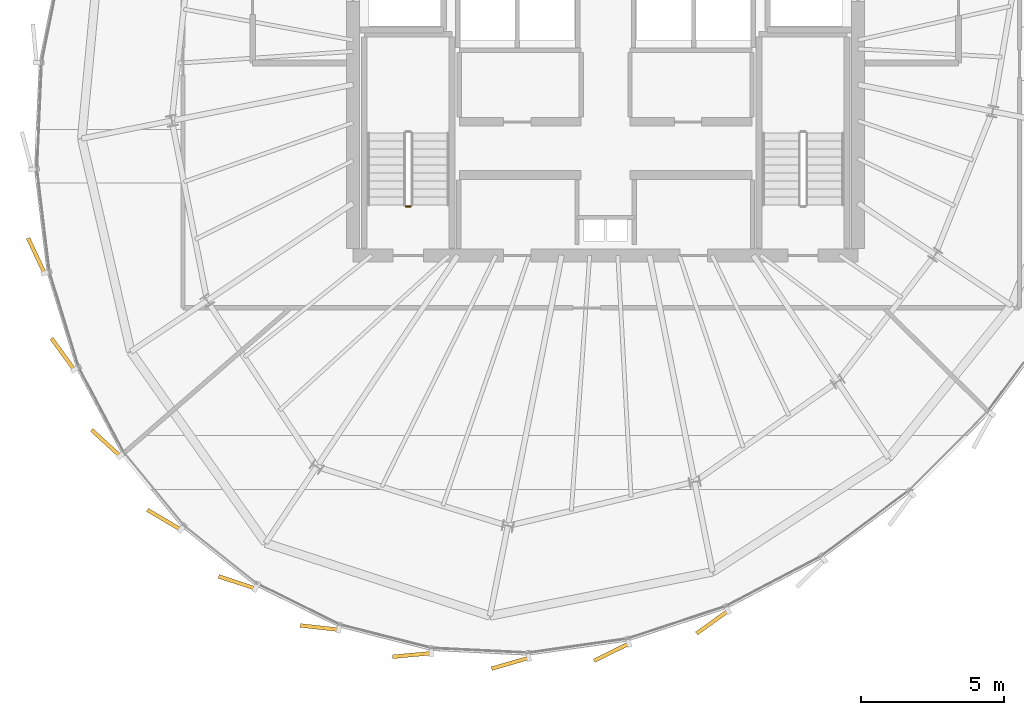
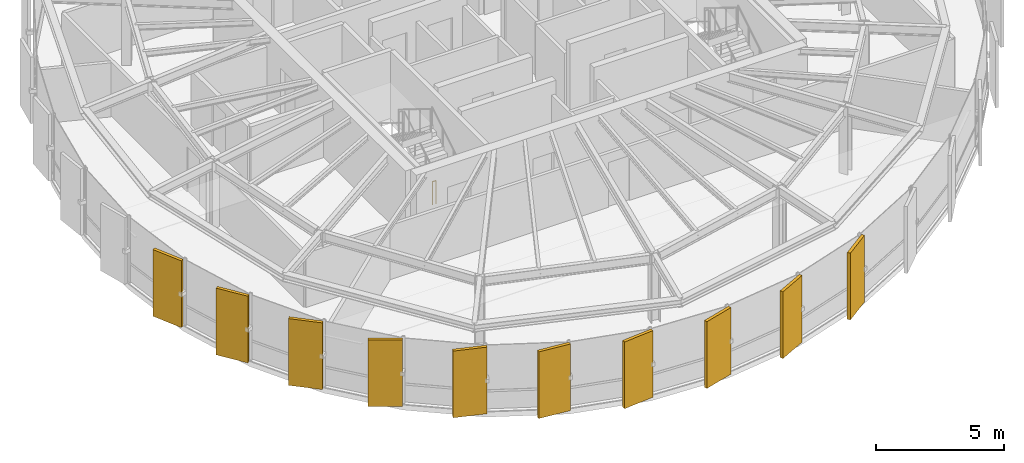
# One storey, part 29 of 33: 10 coverings, 1 railing.
"""IFC4 building model written with IfcOpenShell, lengths in metres."""

import ifcopenshell
import ifcopenshell.guid

model = None  # the IFC model being written
_history = None  # IfcOwnerHistory: only IFC2X3 demands one
_inside = {}  # id of a spatial element -> (the spatial element, [elements in it])
_under = {}  # id of a project, library or spatial element -> (it, [spatial elements below it])
_declared = {}  # id of a project -> (the project, [libraries it declares])
_typed = {}  # id of a type object -> (the type object, [elements of that type])
_made_of = {}  # id of a material, layer set ... -> (it, [elements and type objects made of it])


def new_model(schema):
    """Start an empty IFC model of exactly this schema.

    Asked for "IFC4X3", IfcOpenShell would pick the latest addendum, in which some entities
    have other attributes; the version numbers below select the first issue.
    IFC2X3 requires an IfcOwnerHistory on every rooted entity: one is made here for all.
    """
    global model, _history
    if schema == "IFC4X3":
        model = ifcopenshell.file(schema_version=(4, 3, 0, 0))
    else:
        model = ifcopenshell.file(schema=schema)
    _inside.clear()
    _under.clear()
    _declared.clear()
    _typed.clear()
    _made_of.clear()
    _history = None
    if model.schema == "IFC2X3":
        org = make("IfcOrganization", Name="unknown")
        user = make(
            "IfcPersonAndOrganization",
            ThePerson=make("IfcPerson", FamilyName="unknown"),
            TheOrganization=org,
        )
        app = make(
            "IfcApplication",
            ApplicationDeveloper=org,
            Version="unknown",
            ApplicationFullName="unknown",
            ApplicationIdentifier="unknown",
        )
        _history = make(
            "IfcOwnerHistory",
            OwningUser=user,
            OwningApplication=app,
            ChangeAction="ADDED",
            CreationDate=0,
        )
    return model


def make(cls, **values):
    """One entity of the class cls with the attributes given. An attribute that is None is left unset."""
    return model.create_entity(
        cls, **{name: value for name, value in values.items() if value is not None}
    )


def rooted(cls, **values):
    """An entity with a GlobalId (a new one), such as an element, a storey or a relation."""
    return make(cls, GlobalId=ifcopenshell.guid.new(), OwnerHistory=_history, **values)


def si_unit(unit_type, name, prefix=None):
    """IfcSIUnit, for example si_unit("LENGTHUNIT", "METRE", prefix="MILLI")."""
    return make("IfcSIUnit", UnitType=unit_type, Prefix=prefix, Name=name)


def assignment(units):
    """IfcUnitAssignment: the units of a project."""
    return None if units is None else make("IfcUnitAssignment", Units=units)


def point(xyz):
    """IfcCartesianPoint."""
    return None if xyz is None else make("IfcCartesianPoint", Coordinates=xyz)


def direction(xyz):
    """IfcDirection."""
    return None if xyz is None else make("IfcDirection", DirectionRatios=xyz)


def frame(location, z_axis=None, x_axis=None):
    """IfcAxis2Placement3D, a coordinate frame: its origin and axes. An axis left out is left unset."""
    return make(
        "IfcAxis2Placement3D",
        Location=point(location),
        Axis=direction(z_axis),
        RefDirection=direction(x_axis),
    )


def frame_2d(location, x_axis=None):
    """IfcAxis2Placement2D, a coordinate frame in the plane: its origin and x axis."""
    return make(
        "IfcAxis2Placement2D", Location=point(location), RefDirection=direction(x_axis)
    )


def origin():
    """The frame at (0, 0, 0) with its axes left unset."""
    return frame((0.0, 0.0, 0.0))


def origin_2d():
    """The frame at (0, 0) in the plane with its x axis left unset."""
    return frame_2d((0.0, 0.0))


def place(relative_to, where):
    """IfcLocalPlacement: puts the frame where relative to a parent placement (None: the world)."""
    return make(
        "IfcLocalPlacement", PlacementRelTo=relative_to, RelativePlacement=where
    )


def context(
    kind, dimensions, precision=None, world=None, true_north=None, identifier=None
):
    """IfcGeometricRepresentationContext, for example the 3D "Model" context."""
    return make(
        "IfcGeometricRepresentationContext",
        ContextIdentifier=identifier,
        ContextType=kind,
        CoordinateSpaceDimension=dimensions,
        Precision=precision,
        WorldCoordinateSystem=world,
        TrueNorth=true_north,
    )


def subcontext(parent, identifier, kind, view, scale=None):
    """IfcGeometricRepresentationSubContext, for example "Body" below "Model"."""
    return make(
        "IfcGeometricRepresentationSubContext",
        ContextIdentifier=identifier,
        ContextType=kind,
        ParentContext=parent,
        TargetScale=scale,
        TargetView=view,
    )


def project(units=None, contexts=None):
    """IfcProject with its units and contexts."""
    return rooted(
        "IfcProject",
        Name="project",
        RepresentationContexts=contexts,
        UnitsInContext=assignment(units),
    )


def spatial(cls, under=None, at=None, **own):
    """A site, building, storey or space (cls), placed at a placement, below another one or the project."""
    s = rooted(cls, ObjectPlacement=at, **own)
    if under is not None:
        _under.setdefault(under.id(), (under, []))[1].append(s)
    return s


def profile(cls, at=None, kind="AREA", **sizes):
    """A parametric profile (cls). Its sizes go by their IFC names, for example OverallWidth=200.0."""
    return make(cls, ProfileType=kind, Position=at, **sizes)


def rectangle(**sizes):
    """IfcRectangleProfileDef."""
    return profile("IfcRectangleProfileDef", **sizes)


def circle(**sizes):
    """IfcCircleProfileDef."""
    return profile("IfcCircleProfileDef", **sizes)


def extrude(swept, where, along, depth):
    """IfcExtrudedAreaSolid: the profile swept, set in the frame where, extruded along a direction by depth."""
    return make(
        "IfcExtrudedAreaSolid",
        SweptArea=swept,
        Position=where,
        ExtrudedDirection=direction(along),
        Depth=depth,
    )


def shape(context_of_items, identifier, shape_type, items):
    """IfcShapeRepresentation: the items that make up one representation, for example the "Body"."""
    return make(
        "IfcShapeRepresentation",
        ContextOfItems=context_of_items,
        RepresentationIdentifier=identifier,
        RepresentationType=shape_type,
        Items=items,
    )


def source(mapping_origin, context_of_items, identifier, shape_type, items):
    """IfcRepresentationMap: a shape defined once, which mapped items show again and again."""
    return make(
        "IfcRepresentationMap",
        MappingOrigin=mapping_origin,
        MappedRepresentation=shape(context_of_items, identifier, shape_type, items),
    )


def transform(
    local_origin,
    x_axis=None,
    y_axis=None,
    z_axis=None,
    scale=None,
    scale2=None,
    scale3=None,
    uniform=True,
):
    """IfcCartesianTransformationOperator3D, or its non-uniform kind. x_axis, y_axis, z_axis: its Axis1, 2, 3."""
    if uniform:
        return make(
            "IfcCartesianTransformationOperator3D",
            Axis1=direction(x_axis),
            Axis2=direction(y_axis),
            LocalOrigin=point(local_origin),
            Scale=scale,
            Axis3=direction(z_axis),
        )
    return make(
        "IfcCartesianTransformationOperator3DnonUniform",
        Axis1=direction(x_axis),
        Axis2=direction(y_axis),
        LocalOrigin=point(local_origin),
        Scale=scale,
        Axis3=direction(z_axis),
        Scale2=scale2,
        Scale3=scale3,
    )


def mapped(mapping_source, mapping_target):
    """IfcMappedItem: shows the shape of a source again, moved by a transform."""
    return make(
        "IfcMappedItem", MappingSource=mapping_source, MappingTarget=mapping_target
    )


def material(Name=None, Category=None):
    """IfcMaterial."""
    return make("IfcMaterial", Name=Name, Category=Category)


def layer(
    of_material, thickness, ventilated=None, Name=None, Category=None, Priority=None
):
    """IfcMaterialLayer: one layer of a wall or slab, of a material (None: an air gap)."""
    return make(
        "IfcMaterialLayer",
        Material=of_material,
        LayerThickness=thickness,
        IsVentilated=ventilated,
        Name=Name,
        Category=Category,
        Priority=Priority,
    )


def layer_set(layers, Name=None):
    """IfcMaterialLayerSet."""
    return make("IfcMaterialLayerSet", MaterialLayers=layers, LayerSetName=Name)


def made_of(thing, what):
    """Note that an element or type object is made of a material, layer set ...; save() writes the relation."""
    if what is not None:
        _made_of.setdefault(what.id(), (what, []))[1].append(thing)
    return thing


def type_object(cls, material=None, **own):
    """A type object (cls), such as IfcWallType, which elements share."""
    return made_of(rooted(cls, **own), material)


def element(
    cls,
    number,
    at=None,
    inside=None,
    cuts=None,
    type_object=None,
    material=None,
    context=None,
    identifier="Body",
    shape_type=None,
    held_by="IfcProductDefinitionShape",
    body=None,
    shapes=None,
    **own,
):
    """One element of the class cls, such as IfcWall. Its Tag is "e" and its number.

    at: its placement. inside: the storey or other place that contains it. cuts: it is an
    opening in that element (IfcRelVoidsElement). A single representation is given by context,
    identifier, shape_type and body (its items); several are given by shapes. held_by: the class
    of the entity that holds the representations. save() writes the other relations.
    """
    e = rooted(cls, Tag="e%d" % number, ObjectPlacement=at, **own)
    if body is not None:
        shapes = [shape(context, identifier, shape_type, body)]
    if shapes is not None:
        e.Representation = make(held_by, Representations=shapes)
    if inside is not None:
        _inside.setdefault(inside.id(), (inside, []))[1].append(e)
    if cuts is not None:
        rooted(
            "IfcRelVoidsElement", RelatingBuildingElement=cuts, RelatedOpeningElement=e
        )
    if type_object is not None:
        _typed.setdefault(type_object.id(), (type_object, []))[1].append(e)
    return made_of(e, material)


def aggregate(whole, parts):
    """IfcRelAggregates: a whole, such as a stair, and the parts it consists of."""
    return rooted("IfcRelAggregates", RelatingObject=whole, RelatedObjects=parts)


def save(model, path):
    """Write the relations noted so far, then the file.

    IfcRelAggregates (storeys below a building ...), IfcRelContainedInSpatialStructure (elements
    in a storey), IfcRelDefinesByType, IfcRelAssociatesMaterial and IfcRelDeclares: one each for
    every whole, place, type object, material and project.
    """
    for whole, parts in _under.values():
        aggregate(whole, parts)
    for where, things in _inside.values():
        rooted(
            "IfcRelContainedInSpatialStructure",
            RelatedElements=things,
            RelatingStructure=where,
        )
    for kind, things in _typed.values():
        rooted("IfcRelDefinesByType", RelatedObjects=things, RelatingType=kind)
    for what, things in _made_of.values():
        rooted("IfcRelAssociatesMaterial", RelatedObjects=things, RelatingMaterial=what)
    for by, libraries in _declared.values():
        rooted("IfcRelDeclares", RelatingContext=by, RelatedDefinitions=libraries)
    model.write(path)


model = new_model("IFC4")

# Units and contexts
model_context = context("Model", 3, precision=1e-05, world=origin(), true_north=direction((0.0, 1.0)))
body_context = subcontext(model_context, "Body", "Model", "MODEL_VIEW")
ifc_project = project(units=[si_unit("LENGTHUNIT", "METRE"), si_unit("AREAUNIT", "SQUARE_METRE"), si_unit("VOLUMEUNIT", "CUBIC_METRE"), si_unit("PLANEANGLEUNIT", "RADIAN"), si_unit("MASSUNIT", "GRAM", prefix="KILO"), si_unit("THERMODYNAMICTEMPERATUREUNIT", "KELVIN")], contexts=[model_context])

# Site, building, storey
site_placement = place(None, origin())
site = spatial("IfcSite", under=ifc_project, at=site_placement, CompositionType="ELEMENT")
building_placement = place(site_placement, origin())
building = spatial("IfcBuilding", under=site, at=building_placement, Name="Kethvar Cultural Tower", CompositionType="ELEMENT")
storey_placement = place(building_placement, frame((0.0, 0.0, 266.35009765625)))
storey = spatial("IfcBuildingStorey", under=building, at=storey_placement, Name="L70", CompositionType="ELEMENT", Elevation=266.35009765625)

# Railing
ifc_material_1 = material(Name="Steel S355J2", Category="steel")
railing_type = type_object("IfcRailingType", Name="RL-STAIR-GUARD", PredefinedType="BALUSTRADE", material=ifc_material_1)
railing_placement = place(storey_placement, frame((40.0, 21.800048828125, 0.0)))
element("IfcRailing", 1, at=railing_placement, inside=storey, type_object=railing_type, Name="L70 ST-01 stair guard 4", PredefinedType="BALUSTRADE", context=body_context, shape_type="SweptSolid", body=[
    extrude(circle(Radius=0.02392578125, at=origin_2d()), frame((0.0, 0.0, 1.09619140625), z_axis=(-1.0, 0.0, 0.0), x_axis=(0.0, -1.0, 0.0)), (0.0, 0.0, 1.0), 0.159912109375),
    extrude(circle(Radius=0.02099609375, at=origin_2d()), origin(), (0.0, 0.0, 1.0), 1.072021484375),
    extrude(circle(Radius=0.02099609375, at=origin_2d()), frame((-0.159912109375, 0.0, 0.0)), (0.0, 0.0, 1.0), 1.072021484375),
])

# Coverings
ifc_material_2 = material(Name="Extruded Architectural Terracotta", Category="masonry")
ifc_layer = layer(ifc_material_2, 0.135009765625, Name="Extruded Architectural Terracotta", Category="masonry")
ifc_layer_set = layer_set([ifc_layer], Name="Extruded Architectural Terracotta (135 mm)")
covering_type = type_object("IfcCoveringType", Name="Terracotta Facade Fin FIN-03", PredefinedType="CLADDING", material=ifc_layer_set)
shared_shape = source(origin(), body_context, "Body", "SweptSolid", [
    extrude(rectangle(XDim=1.35009765625, YDim=0.135009765625, at=origin_2d()), origin(), (0.0, 0.0, 1.0), 3.169921875),
])
for number, where, z_axis, x_axis, name in (
    (2, (26.960693359375, 20.089599609375, 0.02001953125), (0.0, 0.0, 1.0), (-0.424199422745, 0.905568799011, 0.0), "L70 Vertical Terracotta Fin 3.3"),
    (3, (27.886962890625, 16.660400390625, 0.02001953125), (0.0, 0.0, 1.0), (-0.587361571432, 0.809324647101, 0.0), "L70 Vertical Terracotta Fin 3.4"),
    (4, (29.3857421875, 13.560546875, 0.02001953125), (0.0, 0.0, 1.0), (-0.73727733681, 0.675590207616, 0.0), "L70 Vertical Terracotta Fin 3.5"),
    (5, (31.416748046875, 10.8837890625, 0.02001953125), (0.0, 0.0, 1.0), (-0.861717729473, 0.507387972573, 0.0), "L70 Vertical Terracotta Fin 3.6"),
    (6, (33.955322265625, 8.69970703125, 0.02001953125), (0.0, 0.0, 1.0), (-0.94937066116, 0.31415815719, 0.0), "L70 Vertical Terracotta Fin 4.1"),
    (7, (36.830810546875, 7.126953125, 0.02001953125), (0.0, 0.0, 1.0), (-0.993960955455, 0.109734311091, 0.0), "L70 Vertical Terracotta Fin 4.2"),
    (8, (40.049560546875, 6.172607421875, 0.02001953125), (0.0, 0.0, 1.0), (-0.995836806996, -0.091154011602, 0.0), "L70 Vertical Terracotta Fin 4.3"),
    (9, (43.476806640625, 5.8837890625, 0.02001953125), (0.0, 0.0, 1.0), (-0.960779154158, -0.277314653302, 0.0), "L70 Vertical Terracotta Fin 4.4"),
    (10, (47.00390625, 6.26953125, 0.02001953125), (0.0, 0.0, 1.0), (-0.896795533934, -0.442445217305, 0.0), "L70 Vertical Terracotta Fin 4.5"),
    (11, (50.52001953125, 7.31591796875, 0.02001953125), (0.0, 0.0, 1.0), (-0.811675940407, -0.584108010358, 0.0), "L70 Vertical Terracotta Fin 4.6"),
):
    element("IfcCovering", number, at=place(storey_placement, frame(where, z_axis=z_axis, x_axis=x_axis)), inside=storey, type_object=covering_type, Name=name, PredefinedType="CLADDING", context=body_context, shape_type="MappedRepresentation", body=[
        mapped(shared_shape, transform((0.0, 0.0, 0.0), scale=1.0)),
    ])

save(model, "model.ifc")
